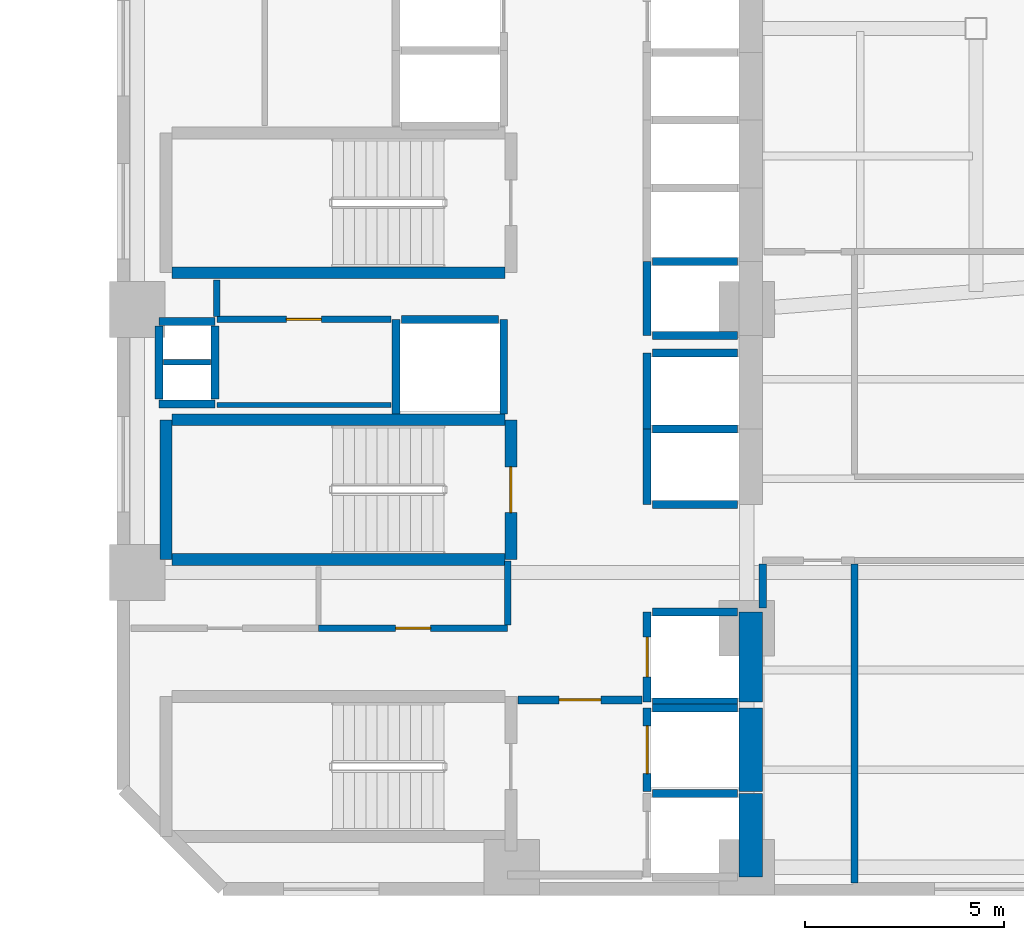
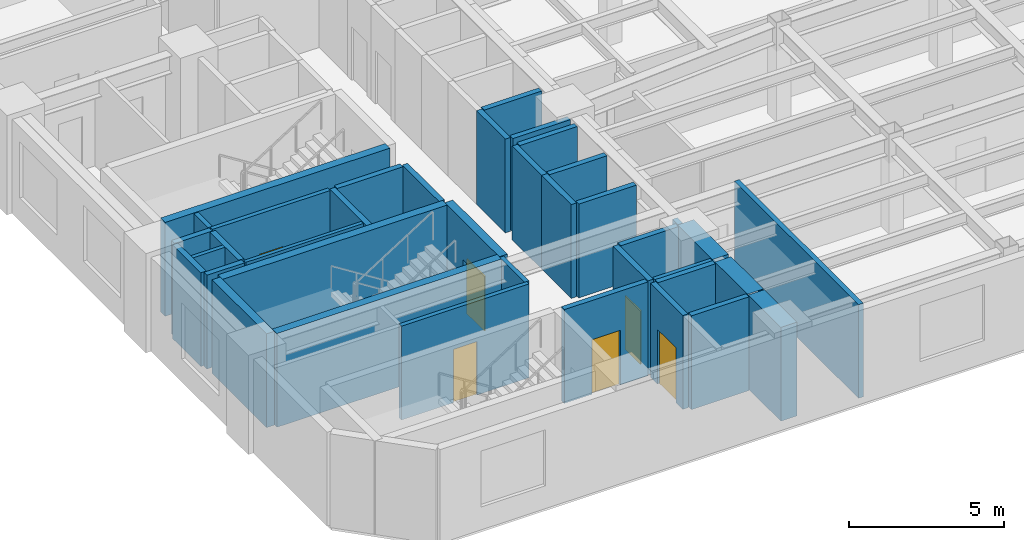
# One storey, part 3 of 10: 38 walls, 6 doors, 6 openings.
"""IFC4 building model written with IfcOpenShell, lengths in metres."""

from ifc_helpers import new_model, si_unit, direction, frame, frame_2d, origin, place, context, subcontext, project, spatial, rectangle, extrude, material, layer, layer_set, type_object, element, fill, save


model = new_model("IFC4")

# Units and contexts
model_context = context("Model", 3, precision=1e-05, world=origin(), true_north=direction((0.0, 1.0)))
body_context = subcontext(model_context, "Body", "Model", "MODEL_VIEW")
ifc_project = project(units=[si_unit("LENGTHUNIT", "METRE"), si_unit("AREAUNIT", "SQUARE_METRE"), si_unit("VOLUMEUNIT", "CUBIC_METRE"), si_unit("PLANEANGLEUNIT", "RADIAN"), si_unit("MASSUNIT", "GRAM", prefix="KILO")], contexts=[model_context])

# Site, building, storey
site_placement = place(None, origin())
site = spatial("IfcSite", under=ifc_project, at=site_placement, CompositionType="ELEMENT")
building_placement = place(site_placement, origin())
building = spatial("IfcBuilding", under=site, at=building_placement, Name="Mawjaban Terraces University", CompositionType="ELEMENT")
storey_placement = place(building_placement, frame((0.0, 0.0, 46.60009765625)))
storey = spatial("IfcBuildingStorey", under=building, at=storey_placement, Name="L10", CompositionType="ELEMENT", Elevation=46.60009765625)

# Walls
ifc_material_1 = material(Name="Acoustic masonry blockwork", Category="masonry")
ifc_layer_1 = layer(ifc_material_1, 0.179931640625)
ifc_layer_set_1 = layer_set([ifc_layer_1], Name="Acoustic masonry blockwork")
wall_type_1 = type_object("IfcWallType", Name="AcousticStudioWall_180", PredefinedType="PARTITIONING", material=ifc_layer_set_1)
wall_1_placement = place(storey_placement, frame((38.050048828125, 7.050048828125, 0.0), z_axis=(0.0, 0.0, 1.0), x_axis=(0.0, 1.0, 0.0)))
element("IfcWall", 1, at=wall_1_placement, inside=storey, type_object=wall_type_1, Name="L10 Core Stair and Lift Lobby East Partition 41", PredefinedType="PARTITIONING", context=body_context, shape_type="SweptSolid", body=[
    extrude(rectangle(XDim=1.114990234375, YDim=0.179931640625, at=frame_2d((0.5576171875, 0.0))), origin(), (0.0, 0.0, 1.0), 2.994873046875),
])
wall_2_placement = place(storey_placement, frame((40.35009765625, 0.155029296875, 0.0), z_axis=(0.0, 0.0, 1.0), x_axis=(0.0, 1.0, 0.0)))
element("IfcWall", 2, at=wall_2_placement, inside=storey, type_object=wall_type_1, Name="L10 Design Studio 1 Partition 43", PredefinedType="PARTITIONING", context=body_context, shape_type="SweptSolid", body=[
    extrude(rectangle(XDim=8.010009765625, YDim=0.179931640625, at=frame_2d((4.0048828125, 0.0))), origin(), (0.0, 0.0, 1.0), 3.68994140625),
])
ifc_material_2 = material(Name="Concrete C70/85", Category="concrete")
ifc_layer_2 = layer(ifc_material_2, 0.60009765625)
ifc_layer_set_2 = layer_set([ifc_layer_2], Name="Concrete C70/85")
wall_type_2 = type_object("IfcWallType", Name="CoreShearWall_600", PredefinedType="SHEAR", material=ifc_layer_set_2)
wall_3_placement = place(storey_placement, frame((37.75, 0.300048828125, 0.0), z_axis=(0.0, 0.0, 1.0), x_axis=(0.0, 1.0, 0.0)))
element("IfcWall", 3, at=wall_3_placement, inside=storey, type_object=wall_type_2, Name="L10 Lift FL-1 Hoistway Wall East", PredefinedType="SHEAR", context=body_context, shape_type="SweptSolid", body=[
    extrude(rectangle(XDim=2.099853515625, YDim=0.60009765625, at=frame_2d((1.0498046875, 0.0))), origin(), (0.0, 0.0, 1.0), 3.68994140625),
])
wall_4_placement = place(storey_placement, frame((37.75, 2.449951171875, 0.0), z_axis=(0.0, 0.0, 1.0), x_axis=(0.0, 1.0, 0.0)))
element("IfcWall", 4, at=wall_4_placement, inside=storey, type_object=wall_type_2, Name="L10 Lift FL-2 Hoistway Wall East", PredefinedType="SHEAR", context=body_context, shape_type="SweptSolid", body=[
    extrude(rectangle(XDim=2.10009765625, YDim=0.60009765625, at=frame_2d((1.050048828125, 0.0))), origin(), (0.0, 0.0, 1.0), 3.68994140625),
])
wall_5_placement = place(storey_placement, frame((37.75, 4.699951171875, 0.0), z_axis=(0.0, 0.0, 1.0), x_axis=(0.0, 1.0, 0.0)))
element("IfcWall", 5, at=wall_5_placement, inside=storey, type_object=wall_type_2, Name="L10 Lift SL-1 Hoistway Wall East", PredefinedType="SHEAR", context=body_context, shape_type="SweptSolid", body=[
    extrude(rectangle(XDim=2.25, YDim=0.60009765625, at=frame_2d((1.125, 0.0))), origin(), (0.0, 0.0, 1.0), 3.68994140625),
])

# Wall, opening, door
ifc_material_3 = material(Name="Fire-rated gypsum board on steel stud", Category="steel")
ifc_layer_3 = layer(ifc_material_3, 0.159912109375)
ifc_layer_set_3 = layer_set([ifc_layer_3], Name="Fire-rated gypsum board on steel stud")
wall_type_3 = type_object("IfcWallType", Name="CorridorPartition_160", PredefinedType="PARTITIONING", material=ifc_layer_set_3)
wall_6_placement = place(storey_placement, frame((24.35009765625, 14.300048828125, 0.0), z_axis=(0.0, 0.0, 1.0), x_axis=(1.0, 0.0, 0.0)))
wall_6 = element("IfcWall", 6, at=wall_6_placement, inside=storey, type_object=wall_type_3, Name="L10 Core Riser Access Passage Partition 2", PredefinedType="PARTITIONING", context=body_context, shape_type="SweptSolid", body=[
    extrude(rectangle(XDim=4.369873046875, YDim=0.159912109375, at=frame_2d((2.18505859375, 0.0))), origin(), (0.0, 0.0, 1.0), 3.68994140625),
])
opening_1_placement = place(wall_6_placement, frame((1.7451171875, 0.0, 0.0)))
opening_1 = element("IfcOpeningElement", 7, at=opening_1_placement, cuts=wall_6, Name="Opening ID-088", PredefinedType="OPENING", context=body_context, shape_type="SweptSolid", body=[
    extrude(rectangle(XDim=0.8798828125, YDim=2.10009765625, at=frame_2d((0.43994140625, 1.050048828125))), frame((0.0, 0.08984375, 0.0), z_axis=(0.0, -1.0, 0.0), x_axis=(1.0, 0.0, 0.0)), (0.0, 0.0, 1.0), 0.179931640625),
])
ifc_material_4 = material(Name="Powder-coated steel frame and solid acoustic timber leaf", Category="steel")
door_type_1 = type_object("IfcDoorType", Name="ToiletDoor_880x2100", OperationType="NOTDEFINED", PredefinedType="DOOR", material=ifc_material_4)
door_1_placement = place(opening_1_placement, origin())
door_1 = element("IfcDoor", 8, at=door_1_placement, inside=storey, type_object=door_type_1, Name="L10 Ablution Room Door", OperationType="SINGLE_SWING_LEFT", OverallHeight=2.10009765625, OverallWidth=0.8798828125, PredefinedType="DOOR", context=body_context, shape_type="SweptSolid", body=[
    extrude(rectangle(XDim=0.8798828125, YDim=2.10009765625, at=frame_2d((0.43994140625, 1.050048828125))), frame((0.0, 0.02490234375, 0.0), z_axis=(0.0, -1.0, 0.0), x_axis=(1.0, 0.0, 0.0)), (0.0, 0.0, 1.0), 0.050048828125),
])
fill(opening_1, door_1)

wall_7_placement = place(storey_placement, frame((31.64990234375, 6.550048828125, 0.0), z_axis=(0.0, 0.0, 1.0), x_axis=(-1.0, 0.0, 0.0)))
wall_7 = element("IfcWall", 9, at=wall_7_placement, inside=storey, type_object=wall_type_3, Name="L10 Core Washroom Lobby Partition 12", PredefinedType="PARTITIONING", context=body_context, shape_type="SweptSolid", body=[
    extrude(rectangle(XDim=4.75, YDim=0.159912109375, at=frame_2d((2.375, 0.0))), origin(), (0.0, 0.0, 1.0), 3.68994140625),
])
opening_2_placement = place(wall_7_placement, frame((1.93505859375, 0.0, 0.0)))
opening_2 = element("IfcOpeningElement", 10, at=opening_2_placement, cuts=wall_7, Name="Opening ID-088", PredefinedType="OPENING", context=body_context, shape_type="SweptSolid", body=[
    extrude(rectangle(XDim=0.8798828125, YDim=2.10009765625, at=frame_2d((0.43994140625, 1.050048828125))), frame((0.0, 0.08984375, 0.0), z_axis=(0.0, -1.0, 0.0), x_axis=(1.0, 0.0, 0.0)), (0.0, 0.0, 1.0), 0.179931640625),
])
door_2_placement = place(opening_2_placement, origin())
door_2 = element("IfcDoor", 11, at=door_2_placement, inside=storey, type_object=door_type_1, Name="L10 Accessible Toilet Door", OperationType="SINGLE_SWING_RIGHT", OverallHeight=2.10009765625, OverallWidth=0.8798828125, PredefinedType="DOOR", context=body_context, shape_type="SweptSolid", body=[
    extrude(rectangle(XDim=0.8798828125, YDim=2.10009765625, at=frame_2d((0.43994140625, 1.050048828125))), frame((0.0, 0.02490234375, 0.0), z_axis=(0.0, -1.0, 0.0), x_axis=(1.0, 0.0, 0.0)), (0.0, 0.0, 1.0), 0.050048828125),
])
fill(opening_2, door_2)

# Walls
wall_8_placement = place(storey_placement, frame((24.35009765625, 15.2900390625, 0.0), z_axis=(0.0, 0.0, 1.0), x_axis=(0.0, -1.0, 0.0)))
element("IfcWall", 12, at=wall_8_placement, inside=storey, type_object=wall_type_3, Name="L10 Core Riser Access Passage Partition 26", PredefinedType="PARTITIONING", context=body_context, shape_type="SweptSolid", body=[
    extrude(rectangle(XDim=0.9150390625, YDim=0.159912109375, at=frame_2d((0.45751953125, 0.0))), origin(), (0.0, 0.0, 1.0), 3.68994140625),
])
wall_9_placement = place(storey_placement, frame((31.64990234375, 8.239990234375, 0.0), z_axis=(0.0, 0.0, 1.0), x_axis=(0.0, -1.0, 0.0)))
element("IfcWall", 13, at=wall_9_placement, inside=storey, type_object=wall_type_3, Name="L10 Passenger Lift Lobby Partition 38", PredefinedType="PARTITIONING", context=body_context, shape_type="SweptSolid", body=[
    extrude(rectangle(XDim=1.614990234375, YDim=0.159912109375, at=frame_2d((0.8076171875, 0.0))), origin(), (0.0, 0.0, 1.0), 3.68994140625),
])
ifc_material_5 = material(Name="Concrete C40/50", Category="concrete")
ifc_layer_4 = layer(ifc_material_5, 0.199951171875)
ifc_layer_set_4 = layer_set([ifc_layer_4], Name="Concrete C40/50")
wall_type_4 = type_object("IfcWallType", Name="FireLobbyWall_200", PredefinedType="SOLIDWALL", material=ifc_layer_set_4)
wall_10_placement = place(storey_placement, frame((37.419921875, 2.39990234375, 0.0), z_axis=(0.0, 0.0, 1.0), x_axis=(-1.0, 0.0, 0.0)))
element("IfcWall", 14, at=wall_10_placement, inside=storey, type_object=wall_type_4, Name="L10 Lift FL-1 Hoistway Wall North", PredefinedType="SOLIDWALL", context=body_context, shape_type="SweptSolid", body=[
    extrude(rectangle(XDim=2.139892578125, YDim=0.199951171875, at=frame_2d((1.06982421875, 0.0))), origin(), (0.0, 0.0, 1.0), 3.68994140625),
])

# Wall, opening, door
wall_11_placement = place(storey_placement, frame((35.14990234375, 4.550048828125, 0.0), z_axis=(0.0, 0.0, 1.0), x_axis=(0.0, -1.0, 0.0)))
wall_11 = element("IfcWall", 15, at=wall_11_placement, inside=storey, type_object=wall_type_4, Name="L10 Lift FL-2 Hoistway Wall West", PredefinedType="SOLIDWALL", context=body_context, shape_type="SweptSolid", body=[
    extrude(rectangle(XDim=2.10009765625, YDim=0.199951171875, at=frame_2d((1.050048828125, 0.0))), origin(), (0.0, 0.0, 1.0), 3.68994140625),
])
opening_3_placement = place(wall_11_placement, frame((0.449951171875, 0.0, 0.0)))
opening_3 = element("IfcOpeningElement", 16, at=opening_3_placement, cuts=wall_11, Name="Opening LD-FL-2", PredefinedType="OPENING", context=body_context, shape_type="SweptSolid", body=[
    extrude(rectangle(XDim=1.199951171875, YDim=2.14990234375, at=frame_2d((0.60009765625, 1.074951171875))), frame((0.0, 0.10986328125, 0.0), z_axis=(0.0, -1.0, 0.0), x_axis=(1.0, 0.0, 0.0)), (0.0, 0.0, 1.0), 0.219970703125),
])
ifc_material_6 = material(Name="Powder-coated steel frame and fire-rated steel-faced leaf", Category="steel")
door_type_2 = type_object("IfcDoorType", Name="LiftLandingFSAE_1200x2150", OperationType="NOTDEFINED", PredefinedType="DOOR", material=ifc_material_6)
door_3_placement = place(opening_3_placement, origin())
door_3 = element("IfcDoor", 17, at=door_3_placement, inside=storey, type_object=door_type_2, Name="L10 Lift FL-2 Sliding Landing Door", OperationType="DOUBLE_DOOR_SLIDING", OverallHeight=2.14990234375, OverallWidth=1.199951171875, PredefinedType="DOOR", context=body_context, shape_type="SweptSolid", body=[
    extrude(rectangle(XDim=1.199951171875, YDim=2.14990234375, at=frame_2d((0.60009765625, 1.074951171875))), frame((0.0, 0.02490234375, 0.0), z_axis=(0.0, -1.0, 0.0), x_axis=(1.0, 0.0, 0.0)), (0.0, 0.0, 1.0), 0.050048828125),
])
fill(opening_3, door_3)

# Wall
wall_12_placement = place(storey_placement, frame((37.419921875, 4.550048828125, 0.0), z_axis=(0.0, 0.0, 1.0), x_axis=(-1.0, 0.0, 0.0)))
element("IfcWall", 18, at=wall_12_placement, inside=storey, type_object=wall_type_4, Name="L10 Lift FL-2 Hoistway Wall North", PredefinedType="SOLIDWALL", context=body_context, shape_type="SweptSolid", body=[
    extrude(rectangle(XDim=2.139892578125, YDim=0.199951171875, at=frame_2d((1.06982421875, 0.0))), origin(), (0.0, 0.0, 1.0), 3.68994140625),
])

# Wall, opening, door
wall_13_placement = place(storey_placement, frame((35.14990234375, 6.949951171875, 0.0), z_axis=(0.0, 0.0, 1.0), x_axis=(0.0, -1.0, 0.0)))
wall_13 = element("IfcWall", 19, at=wall_13_placement, inside=storey, type_object=wall_type_4, Name="L10 Lift SL-1 Hoistway Wall West", PredefinedType="SOLIDWALL", context=body_context, shape_type="SweptSolid", body=[
    extrude(rectangle(XDim=2.25, YDim=0.199951171875, at=frame_2d((1.125, 0.0))), origin(), (0.0, 0.0, 1.0), 3.68994140625),
])
opening_4_placement = place(wall_13_placement, frame((0.625, 0.0, 0.0)))
opening_4 = element("IfcOpeningElement", 20, at=opening_4_placement, cuts=wall_13, Name="Opening LD-SL-1", PredefinedType="OPENING", context=body_context, shape_type="SweptSolid", body=[
    extrude(rectangle(XDim=1.0, YDim=2.10009765625, at=frame_2d((0.5, 1.050048828125))), frame((0.0, 0.10986328125, 0.0), z_axis=(0.0, -1.0, 0.0), x_axis=(1.0, 0.0, 0.0)), (0.0, 0.0, 1.0), 0.219970703125),
])
door_type_3 = type_object("IfcDoorType", Name="LiftLandingSliding_1000x2100", OperationType="NOTDEFINED", PredefinedType="DOOR", material=ifc_material_6)
door_4_placement = place(opening_4_placement, origin())
door_4 = element("IfcDoor", 21, at=door_4_placement, inside=storey, type_object=door_type_3, Name="L10 Lift SL-1 Sliding Landing Door", OperationType="DOUBLE_DOOR_SLIDING", OverallHeight=2.10009765625, OverallWidth=1.0, PredefinedType="DOOR", context=body_context, shape_type="SweptSolid", body=[
    extrude(rectangle(XDim=1.0, YDim=2.10009765625, at=frame_2d((0.5, 1.050048828125))), frame((0.0, 0.02490234375, 0.0), z_axis=(0.0, -1.0, 0.0), x_axis=(1.0, 0.0, 0.0)), (0.0, 0.0, 1.0), 0.050048828125),
])
fill(opening_4, door_4)

# Walls
for number, where, z_axis, x_axis, name in (
    (22, (35.280029296875, 4.699951171875, 0.0), (0.0, 0.0, 1.0), (1.0, 0.0, 0.0), "L10 Lift SL-1 Hoistway Wall South"),
    (23, (37.419921875, 6.949951171875, 0.0), (0.0, 0.0, 1.0), (-1.0, 0.0, 0.0), "L10 Lift SL-1 Hoistway Wall North"),
):
    element("IfcWall", number, at=place(storey_placement, frame(where, z_axis=z_axis, x_axis=x_axis)), inside=storey, type_object=wall_type_4, Name=name, PredefinedType="SOLIDWALL", context=body_context, shape_type="SweptSolid", body=[
        extrude(rectangle(XDim=2.139892578125, YDim=0.199951171875, at=frame_2d((1.06982421875, 0.0))), origin(), (0.0, 0.0, 1.0), 3.68994140625),
    ])
wall_14_placement = place(storey_placement, frame((35.14990234375, 11.550048828125, 0.0), z_axis=(0.0, 0.0, 1.0), x_axis=(0.0, -1.0, 0.0)))
element("IfcWall", 24, at=wall_14_placement, inside=storey, type_object=wall_type_4, Name="L10 Lift PL-H1 Hoistway Wall West", PredefinedType="SOLIDWALL", context=body_context, shape_type="SweptSolid", body=[
    extrude(rectangle(XDim=1.900146484375, YDim=0.199951171875, at=frame_2d((0.9501953125, 0.0))), origin(), (0.0, 0.0, 1.0), 3.68994140625),
])
for number, where, z_axis, x_axis, name in (
    (25, (35.280029296875, 9.64990234375, 0.0), (0.0, 0.0, 1.0), (1.0, 0.0, 0.0), "L10 Lift PL-H1 Hoistway Wall South"),
    (26, (37.419921875, 11.550048828125, 0.0), (0.0, 0.0, 1.0), (-1.0, 0.0, 0.0), "L10 Lift PL-H1 Hoistway Wall North"),
):
    element("IfcWall", number, at=place(storey_placement, frame(where, z_axis=z_axis, x_axis=x_axis)), inside=storey, type_object=wall_type_4, Name=name, PredefinedType="SOLIDWALL", context=body_context, shape_type="SweptSolid", body=[
        extrude(rectangle(XDim=2.139892578125, YDim=0.199951171875, at=frame_2d((1.06982421875, 0.0))), origin(), (0.0, 0.0, 1.0), 3.68994140625),
    ])
wall_15_placement = place(storey_placement, frame((35.14990234375, 13.449951171875, 0.0), z_axis=(0.0, 0.0, 1.0), x_axis=(0.0, -1.0, 0.0)))
element("IfcWall", 27, at=wall_15_placement, inside=storey, type_object=wall_type_4, Name="L10 Lift PL-H2 Hoistway Wall West", PredefinedType="SOLIDWALL", context=body_context, shape_type="SweptSolid", body=[
    extrude(rectangle(XDim=1.89990234375, YDim=0.199951171875, at=frame_2d((0.949951171875, 0.0))), origin(), (0.0, 0.0, 1.0), 3.68994140625),
])
wall_16_placement = place(storey_placement, frame((37.419921875, 13.449951171875, 0.0), z_axis=(0.0, 0.0, 1.0), x_axis=(-1.0, 0.0, 0.0)))
element("IfcWall", 28, at=wall_16_placement, inside=storey, type_object=wall_type_4, Name="L10 Lift PL-H2 Hoistway Wall North", PredefinedType="SOLIDWALL", context=body_context, shape_type="SweptSolid", body=[
    extrude(rectangle(XDim=2.139892578125, YDim=0.199951171875, at=frame_2d((1.06982421875, 0.0))), origin(), (0.0, 0.0, 1.0), 3.68994140625),
])
for number, where, z_axis, x_axis, name in (
    (29, (28.85009765625, 14.300048828125, 0.0), (0.0, 0.0, 1.0), (0.0, -1.0, 0.0), "L10 Lift PL-H3 Hoistway Wall West"),
    (30, (31.550048828125, 11.929931640625, 0.0), (0.0, 0.0, 1.0), (0.0, 1.0, 0.0), "L10 Lift PL-H3 Hoistway Wall East"),
):
    element("IfcWall", number, at=place(storey_placement, frame(where, z_axis=z_axis, x_axis=x_axis)), inside=storey, type_object=wall_type_4, Name=name, PredefinedType="SOLIDWALL", context=body_context, shape_type="SweptSolid", body=[
        extrude(rectangle(XDim=2.3701171875, YDim=0.199951171875, at=frame_2d((1.18505859375, 0.0))), origin(), (0.0, 0.0, 1.0), 3.68994140625),
    ])
wall_17_placement = place(storey_placement, frame((31.419921875, 14.300048828125, 0.0), z_axis=(0.0, 0.0, 1.0), x_axis=(-1.0, 0.0, 0.0)))
element("IfcWall", 31, at=wall_17_placement, inside=storey, type_object=wall_type_4, Name="L10 Lift PL-H3 Hoistway Wall North", PredefinedType="SOLIDWALL", context=body_context, shape_type="SweptSolid", body=[
    extrude(rectangle(XDim=2.43994140625, YDim=0.199951171875, at=frame_2d((1.219970703125, 0.0))), origin(), (0.0, 0.0, 1.0), 3.68994140625),
])
wall_18_placement = place(storey_placement, frame((35.14990234375, 15.75, 0.0), z_axis=(0.0, 0.0, 1.0), x_axis=(0.0, -1.0, 0.0)))
element("IfcWall", 32, at=wall_18_placement, inside=storey, type_object=wall_type_4, Name="L10 Lift OL-1 Hoistway Wall West", PredefinedType="SOLIDWALL", context=body_context, shape_type="SweptSolid", body=[
    extrude(rectangle(XDim=1.85009765625, YDim=0.199951171875, at=frame_2d((0.925048828125, 0.0))), origin(), (0.0, 0.0, 1.0), 3.68994140625),
])
for number, where, z_axis, x_axis, name in (
    (33, (35.280029296875, 13.89990234375, 0.0), (0.0, 0.0, 1.0), (1.0, 0.0, 0.0), "L10 Lift OL-1 Hoistway Wall South"),
    (34, (37.419921875, 15.75, 0.0), (0.0, 0.0, 1.0), (-1.0, 0.0, 0.0), "L10 Lift OL-1 Hoistway Wall North"),
):
    element("IfcWall", number, at=place(storey_placement, frame(where, z_axis=z_axis, x_axis=x_axis)), inside=storey, type_object=wall_type_4, Name=name, PredefinedType="SOLIDWALL", context=body_context, shape_type="SweptSolid", body=[
        extrude(rectangle(XDim=2.139892578125, YDim=0.199951171875, at=frame_2d((1.06982421875, 0.0))), origin(), (0.0, 0.0, 1.0), 3.68994140625),
    ])
for number, where, z_axis, x_axis, name in (
    (35, (22.89990234375, 14.25, 0.0), (0.0, 0.0, 1.0), (1.0, 0.0, 0.0), "L10 MEP Riser Shaft Wall N"),
    (36, (22.89990234375, 12.179931640625, 0.0), (0.0, 0.0, 1.0), (1.0, 0.0, 0.0), "L10 MEP Riser Shaft Wall S"),
):
    element("IfcWall", number, at=place(storey_placement, frame(where, z_axis=z_axis, x_axis=x_axis)), inside=storey, type_object=wall_type_4, Name=name, PredefinedType="SOLIDWALL", context=body_context, shape_type="SweptSolid", body=[
        extrude(rectangle(XDim=1.400146484375, YDim=0.199951171875, at=frame_2d((0.7001953125, 0.0))), origin(), (0.0, 0.0, 1.0), 3.68994140625),
    ])
for number, where, z_axis, x_axis, name in (
    (37, (24.300048828125, 12.300048828125, 0.0), (0.0, 0.0, 1.0), (0.0, 1.0, 0.0), "L10 MEP Riser Shaft Wall E"),
    (38, (22.89990234375, 12.300048828125, 0.0), (0.0, 0.0, 1.0), (0.0, 1.0, 0.0), "L10 MEP Riser Shaft Wall W"),
):
    element("IfcWall", number, at=place(storey_placement, frame(where, z_axis=z_axis, x_axis=x_axis)), inside=storey, type_object=wall_type_4, Name=name, PredefinedType="SOLIDWALL", context=body_context, shape_type="SweptSolid", body=[
        extrude(rectangle(XDim=1.829833984375, YDim=0.199951171875, at=frame_2d((0.9150390625, 0.0))), origin(), (0.0, 0.0, 1.0), 3.68994140625),
    ])

# Wall, opening, door
wall_19_placement = place(storey_placement, frame((35.02001953125, 4.75, 0.0), z_axis=(0.0, 0.0, 1.0), x_axis=(-1.0, 0.0, 0.0)))
wall_19 = element("IfcWall", 39, at=wall_19_placement, inside=storey, type_object=wall_type_4, Name="L10 Firefighting Lift Lobby Partition 13", PredefinedType="SOLIDWALL", context=body_context, shape_type="SweptSolid", body=[
    extrude(rectangle(XDim=3.110107421875, YDim=0.199951171875, at=frame_2d((1.55517578125, 0.0))), origin(), (0.0, 0.0, 1.0), 3.68994140625),
])
opening_5_placement = place(wall_19_placement, frame((1.030029296875, 0.0, 0.0)))
opening_5 = element("IfcOpeningElement", 40, at=opening_5_placement, cuts=wall_19, Name="Opening FD-105", PredefinedType="OPENING", context=body_context, shape_type="SweptSolid", body=[
    extrude(rectangle(XDim=1.050048828125, YDim=2.14990234375, at=frame_2d((0.52490234375, 1.074951171875))), frame((0.0, 0.10986328125, 0.0), z_axis=(0.0, -1.0, 0.0), x_axis=(1.0, 0.0, 0.0)), (0.0, 0.0, 1.0), 0.219970703125),
])
door_type_4 = type_object("IfcDoorType", Name="FireLobbyDoor_1050x2150", OperationType="NOTDEFINED", PredefinedType="DOOR", material=ifc_material_6)
door_5_placement = place(opening_5_placement, origin())
door_5 = element("IfcDoor", 41, at=door_5_placement, inside=storey, type_object=door_type_4, Name="L10 Firefighting Lift Lobby Door", OperationType="SINGLE_SWING_RIGHT", OverallHeight=2.14990234375, OverallWidth=1.050048828125, PredefinedType="DOOR", context=body_context, shape_type="SweptSolid", body=[
    extrude(rectangle(XDim=1.050048828125, YDim=2.14990234375, at=frame_2d((0.52490234375, 1.074951171875))), frame((0.0, 0.02490234375, 0.0), z_axis=(0.0, -1.0, 0.0), x_axis=(1.0, 0.0, 0.0)), (0.0, 0.0, 1.0), 0.050048828125),
])
fill(opening_5, door_5)

# Walls
ifc_material_7 = material(Name="Moisture-resistant gypsum board on steel stud", Category="steel")
ifc_layer_5 = layer(ifc_material_7, 0.14501953125)
ifc_layer_set_5 = layer_set([ifc_layer_5], Name="Moisture-resistant gypsum board on steel stud")
wall_type_5 = type_object("IfcWallType", Name="LabPartition_145", PredefinedType="PARTITIONING", material=ifc_layer_set_5)
wall_20_placement = place(storey_placement, frame((23.010009765625, 13.22509765625, 0.0), z_axis=(0.0, 0.0, 1.0), x_axis=(1.0, 0.0, 0.0)))
element("IfcWall", 42, at=wall_20_placement, inside=storey, type_object=wall_type_5, Name="L10 MEP Riser Shaft Wall M", PredefinedType="PARTITIONING", context=body_context, shape_type="SweptSolid", body=[
    extrude(rectangle(XDim=1.179931640625, YDim=0.14501953125, at=frame_2d((0.58984375, 0.0))), origin(), (0.0, 0.0, 1.0), 3.68994140625),
])
ifc_material_8 = material(Name="Concrete C60/75", Category="concrete")
ifc_layer_6 = layer(ifc_material_8, 0.300048828125)
ifc_layer_set_6 = layer_set([ifc_layer_6], Name="Concrete C60/75")
wall_type_6 = type_object("IfcWallType", Name="StairShaftWall_300", PredefinedType="SHEAR", material=ifc_layer_set_6)
for number, where, z_axis, x_axis, name in (
    (43, (23.219970703125, 15.469970703125, 0.0), (0.0, 0.0, 1.0), (1.0, 0.0, 0.0), "L10 ST-2 Stair Shaft Wall 3"),
    (44, (31.580078125, 11.780029296875, 0.0), (0.0, 0.0, 1.0), (-1.0, 0.0, 0.0), "L10 ST-3 Stair Shaft Wall 1"),
):
    element("IfcWall", number, at=place(storey_placement, frame(where, z_axis=z_axis, x_axis=x_axis)), inside=storey, type_object=wall_type_6, Name=name, PredefinedType="SHEAR", context=body_context, shape_type="SweptSolid", body=[
        extrude(rectangle(XDim=8.360107421875, YDim=0.300048828125, at=frame_2d((4.18017578125, 0.0))), origin(), (0.0, 0.0, 1.0), 3.68994140625),
    ])
wall_21_placement = place(storey_placement, frame((23.070068359375, 11.780029296875, 0.0), z_axis=(0.0, 0.0, 1.0), x_axis=(0.0, -1.0, 0.0)))
element("IfcWall", 45, at=wall_21_placement, inside=storey, type_object=wall_type_6, Name="L10 ST-3 Stair Shaft Wall 2", PredefinedType="SHEAR", context=body_context, shape_type="SweptSolid", body=[
    extrude(rectangle(XDim=3.510009765625, YDim=0.300048828125, at=frame_2d((1.7548828125, 0.0))), origin(), (0.0, 0.0, 1.0), 3.68994140625),
])
wall_22_placement = place(storey_placement, frame((23.219970703125, 8.27001953125, 0.0), z_axis=(0.0, 0.0, 1.0), x_axis=(1.0, 0.0, 0.0)))
element("IfcWall", 46, at=wall_22_placement, inside=storey, type_object=wall_type_6, Name="L10 ST-3 Stair Shaft Wall 3", PredefinedType="SHEAR", context=body_context, shape_type="SweptSolid", body=[
    extrude(rectangle(XDim=8.360107421875, YDim=0.300048828125, at=frame_2d((4.18017578125, 0.0))), origin(), (0.0, 0.0, 1.0), 3.68994140625),
])

# Wall, opening, door
wall_23_placement = place(storey_placement, frame((31.72998046875, 8.27001953125, 0.0), z_axis=(0.0, 0.0, 1.0), x_axis=(0.0, 1.0, 0.0)))
wall_23 = element("IfcWall", 47, at=wall_23_placement, inside=storey, type_object=wall_type_6, Name="L10 ST-3 Stair Shaft Wall 4", PredefinedType="SHEAR", context=body_context, shape_type="SweptSolid", body=[
    extrude(rectangle(XDim=3.510009765625, YDim=0.300048828125, at=frame_2d((1.7548828125, 0.0))), origin(), (0.0, 0.0, 1.0), 3.68994140625),
])
opening_6_placement = place(wall_23_placement, frame((1.179931640625, 0.0, 0.0)))
opening_6 = element("IfcOpeningElement", 48, at=opening_6_placement, cuts=wall_23, Name="Opening FD-115", PredefinedType="OPENING", context=body_context, shape_type="SweptSolid", body=[
    extrude(rectangle(XDim=1.14990234375, YDim=2.14990234375, at=frame_2d((0.574951171875, 1.074951171875))), frame((0.0, 0.159912109375, 0.0), z_axis=(0.0, -1.0, 0.0), x_axis=(1.0, 0.0, 0.0)), (0.0, 0.0, 1.0), 0.320068359375),
])
door_type_5 = type_object("IfcDoorType", Name="FireStairDoor_1150x2150", OperationType="NOTDEFINED", PredefinedType="DOOR", material=ifc_material_6)
door_6_placement = place(opening_6_placement, origin())
door_6 = element("IfcDoor", 49, at=door_6_placement, inside=storey, type_object=door_type_5, Name="L10 ST-3 Pressurised Stair Fire Door", OperationType="SINGLE_SWING_LEFT", OverallHeight=2.14990234375, OverallWidth=1.14990234375, PredefinedType="DOOR", context=body_context, shape_type="SweptSolid", body=[
    extrude(rectangle(XDim=1.14990234375, YDim=2.14990234375, at=frame_2d((0.574951171875, 1.074951171875))), frame((0.0, 0.02490234375, 0.0), z_axis=(0.0, -1.0, 0.0), x_axis=(1.0, 0.0, 0.0)), (0.0, 0.0, 1.0), 0.050048828125),
])
fill(opening_6, door_6)

# Wall
ifc_material_9 = material(Name="Cement-board wet-room partition", Category="masonry")
ifc_layer_7 = layer(ifc_material_9, 0.135009765625)
ifc_layer_set_7 = layer_set([ifc_layer_7], Name="Cement-board wet-room partition")
wall_type_7 = type_object("IfcWallType", Name="WetRoomPartition_135", PredefinedType="PARTITIONING", material=ifc_layer_set_7)
wall_24_placement = place(storey_placement, frame((24.35009765625, 12.14990234375, 0.0), z_axis=(0.0, 0.0, 1.0), x_axis=(1.0, 0.0, 0.0)))
element("IfcWall", 50, at=wall_24_placement, inside=storey, type_object=wall_type_7, Name="L10 Ablution Room Partition 1", PredefinedType="PARTITIONING", context=body_context, shape_type="SweptSolid", body=[
    extrude(rectangle(XDim=4.369873046875, YDim=0.135009765625, at=frame_2d((2.18505859375, 0.0))), origin(), (0.0, 0.0, 1.0), 3.68994140625),
])

save(model, "model.ifc")
